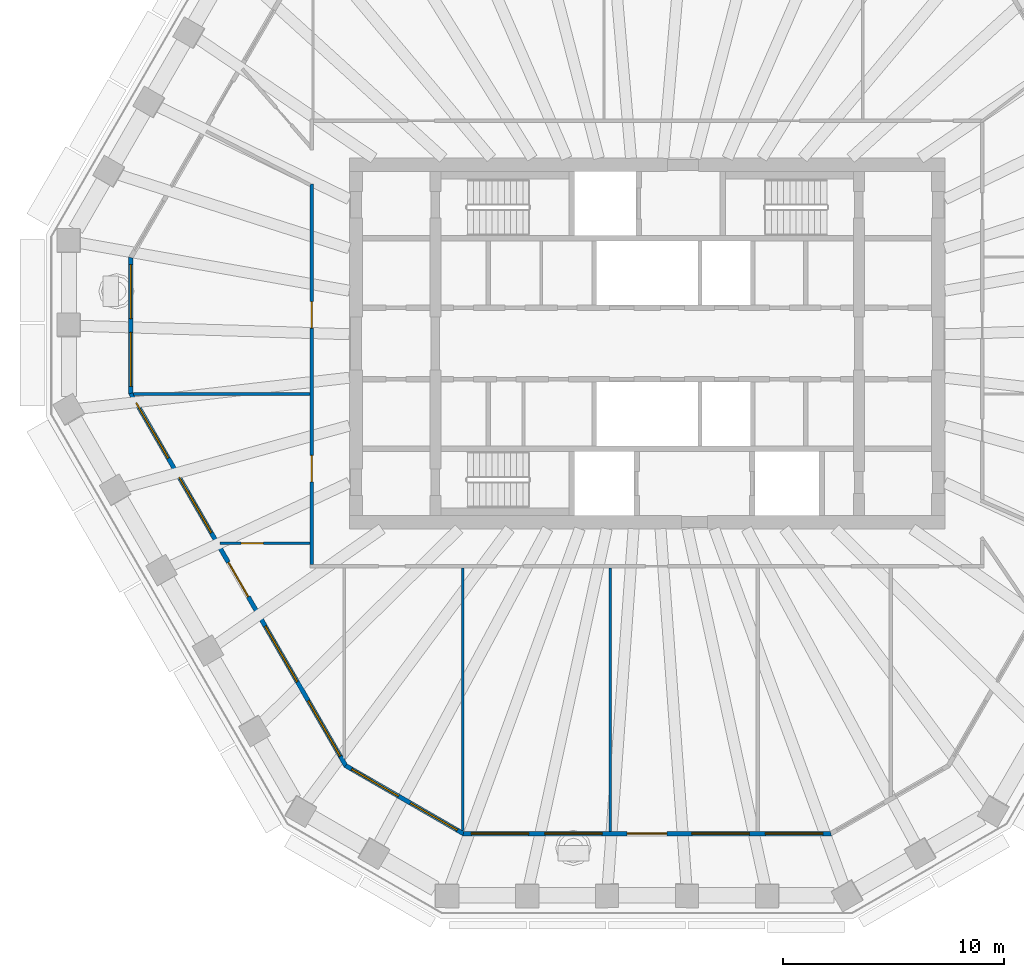
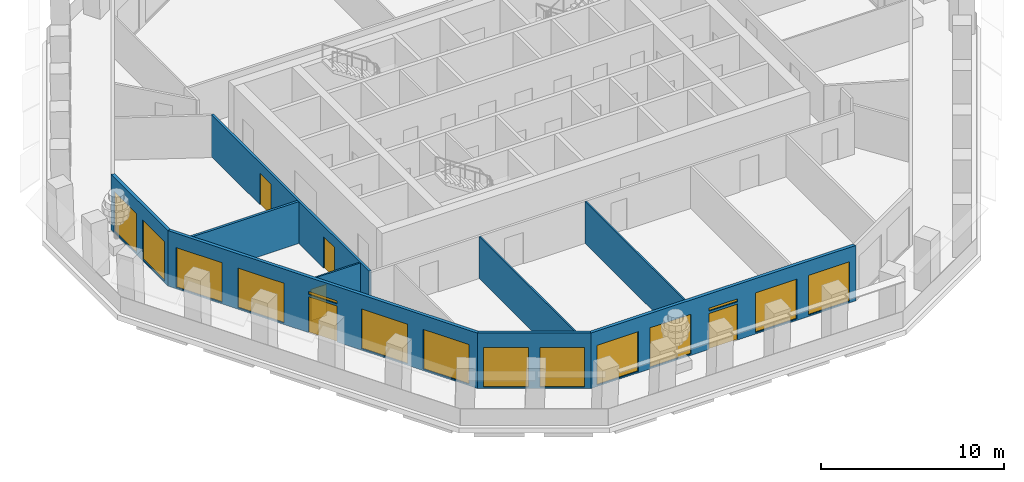
# One storey, part 3 of 12: 14 windows, 9 walls, 5 doors, 19 openings.
"""IFC4 building model written with IfcOpenShell, lengths in metres."""

from ifc_helpers import new_model, si_unit, direction, frame, frame_2d, origin, place, context, subcontext, project, spatial, polyline, rectangle, outline, extrude, material, layer, layer_set, type_object, element, fill, save


model = new_model("IFC4")

# Units and contexts
model_context = context("Model", 3, precision=1e-05, world=origin(), true_north=direction((0.0, 1.0)))
body_context = subcontext(model_context, "Body", "Model", "MODEL_VIEW")
ifc_project = project(units=[si_unit("LENGTHUNIT", "METRE"), si_unit("AREAUNIT", "SQUARE_METRE"), si_unit("VOLUMEUNIT", "CUBIC_METRE"), si_unit("PLANEANGLEUNIT", "RADIAN"), si_unit("MASSUNIT", "GRAM", prefix="KILO")], contexts=[model_context])

# Site, building, storey
site_placement = place(None, origin())
site = spatial("IfcSite", under=ifc_project, at=site_placement, CompositionType="ELEMENT")
building_placement = place(site_placement, origin())
building = spatial("IfcBuilding", under=site, at=building_placement, Name="Frailejon Research Tower", CompositionType="ELEMENT")
storey_placement = place(building_placement, frame((0.0, 0.0, 237.39990234375)))
storey = spatial("IfcBuildingStorey", under=building, at=storey_placement, Name="L51", CompositionType="ELEMENT", Elevation=237.39990234375)

# Wall, openings, doors
ifc_material_1 = material(Name="Gypsum board and masonry partition", Category="masonry")
ifc_layer_1 = layer(ifc_material_1, 0.14990234375)
ifc_layer_set_1 = layer_set([ifc_layer_1], Name="Corridor wall EI 60, gypsum on steel studs 150")
wall_type_1 = type_object("IfcWallType", Name="Corridor wall EI 60, gypsum on steel studs 150", PredefinedType="PARTITIONING", material=ifc_layer_set_1)
wall_1_placement = place(storey_placement, frame((-15.199951171875, -10.02490234375, 0.0), z_axis=(0.0, 0.0, 1.0), x_axis=(0.0, 1.0, 0.0)))
wall_1 = element("IfcWall", 1, at=wall_1_placement, inside=storey, type_object=wall_type_1, Name="T:IW:L51:006", PredefinedType="PARTITIONING", context=body_context, shape_type="SweptSolid", body=[
    extrude(rectangle(XDim=17.25, YDim=0.14990234375, at=frame_2d((8.625, 0.0))), origin(), (0.0, 0.0, 1.0), 2.800048828125),
])
opening_1_placement = place(wall_1_placement, frame((10.7265625, 0.0, 0.0)))
opening_1 = element("IfcOpeningElement", 2, at=opening_1_placement, cuts=wall_1, Name="Opening D2012", PredefinedType="OPENING", context=body_context, shape_type="SweptSolid", body=[
    extrude(rectangle(XDim=1.199951171875, YDim=2.10009765625, at=frame_2d((0.60009765625, 1.050048828125))), frame((0.0, 0.0849609375, 0.0), z_axis=(0.0, -1.0, 0.0), x_axis=(1.0, 0.0, 0.0)), (0.0, 0.0, 1.0), 0.169921875),
])
opening_2_placement = place(wall_1_placement, frame((3.75341796875, 0.0, 0.0)))
opening_2 = element("IfcOpeningElement", 3, at=opening_2_placement, cuts=wall_1, Name="Opening D2013", PredefinedType="OPENING", context=body_context, shape_type="SweptSolid", body=[
    extrude(rectangle(XDim=1.199951171875, YDim=2.10009765625, at=frame_2d((0.60009765625, 1.050048828125))), frame((0.0, 0.0849609375, 0.0), z_axis=(0.0, -1.0, 0.0), x_axis=(1.0, 0.0, 0.0)), (0.0, 0.0, 1.0), 0.169921875),
])
ifc_material_2 = material(Name="Timber door leaf", Category="wood")
door_type_1 = type_object("IfcDoorType", Name="Door laboratory, timber, vision panel 1200", OperationType="NOTDEFINED", PredefinedType="DOOR", material=ifc_material_2)
door_1_placement = place(opening_1_placement, origin())
door_1 = element("IfcDoor", 4, at=door_1_placement, inside=storey, type_object=door_type_1, Name="D2012", OperationType="DOUBLE_DOOR_SINGLE_SWING", OverallHeight=2.10009765625, OverallWidth=1.199951171875, PredefinedType="DOOR", context=body_context, shape_type="SweptSolid", body=[
    extrude(rectangle(XDim=1.199951171875, YDim=2.10009765625, at=frame_2d((0.60009765625, 1.050048828125))), frame((0.0, 0.02490234375, 0.0), z_axis=(0.0, -1.0, 0.0), x_axis=(1.0, 0.0, 0.0)), (0.0, 0.0, 1.0), 0.050048828125),
])
fill(opening_1, door_1)
ifc_material_3 = material(Name="Timber door leaf", Category="wood")
door_type_2 = type_object("IfcDoorType", Name="Door single leaf, timber, steel frame 1200", OperationType="NOTDEFINED", PredefinedType="DOOR", material=ifc_material_3)
door_2_placement = place(opening_2_placement, origin())
door_2 = element("IfcDoor", 5, at=door_2_placement, inside=storey, type_object=door_type_2, Name="D2013", OperationType="DOUBLE_DOOR_SINGLE_SWING", OverallHeight=2.10009765625, OverallWidth=1.199951171875, PredefinedType="DOOR", context=body_context, shape_type="SweptSolid", body=[
    extrude(rectangle(XDim=1.199951171875, YDim=2.10009765625, at=frame_2d((0.60009765625, 1.050048828125))), frame((0.0, 0.02490234375, 0.0), z_axis=(0.0, -1.0, 0.0), x_axis=(1.0, 0.0, 0.0)), (0.0, 0.0, 1.0), 0.050048828125),
])
fill(opening_2, door_2)

# Wall
ifc_material_4 = material(Name="Gypsum board and masonry partition", Category="masonry")
ifc_layer_2 = layer(ifc_material_4, 0.14990234375)
ifc_layer_set_2 = layer_set([ifc_layer_2], Name="Laboratory partition, blockwork 150")
wall_type_2 = type_object("IfcWallType", Name="Laboratory partition, blockwork 150", PredefinedType="PARTITIONING", material=ifc_layer_set_2)
wall_2_placement = place(storey_placement, frame((-23.275146484375, -2.2861328125, 0.0), z_axis=(0.0, 0.0, 1.0), x_axis=(1.0, 0.0, 0.0)))
element("IfcWall", 6, at=wall_2_placement, inside=storey, type_object=wall_type_2, Name="T:IW:L51:011", PredefinedType="PARTITIONING", context=body_context, shape_type="SweptSolid", body=[
    extrude(rectangle(XDim=8.000244140625, YDim=0.14990234375, at=frame_2d((4.0, 0.0))), origin(), (0.0, 0.0, 1.0), 2.800048828125),
])

# Wall, opening, door
ifc_material_5 = material(Name="Gypsum board and masonry partition", Category="masonry")
ifc_layer_3 = layer(ifc_material_5, 0.10009765625)
ifc_layer_set_3 = layer_set([ifc_layer_3], Name="Partition, gypsum on steel studs 100")
wall_type_3 = type_object("IfcWallType", Name="Partition, gypsum on steel studs 100", PredefinedType="PARTITIONING", material=ifc_layer_set_3)
wall_3_placement = place(storey_placement, frame((-19.365966796875, -9.05712890625, 0.0), z_axis=(0.0, 0.0, 1.0), x_axis=(1.0, 0.0, 0.0)))
wall_3 = element("IfcWall", 7, at=wall_3_placement, inside=storey, type_object=wall_type_3, Name="T:IW:L51:020", PredefinedType="PARTITIONING", context=body_context, shape_type="SweptSolid", body=[
    extrude(rectangle(XDim=4.091064453125, YDim=0.10009765625, at=frame_2d((2.04541015625, 0.0))), origin(), (0.0, 0.0, 1.0), 2.800048828125),
])
opening_3_placement = place(wall_3_placement, frame((0.966552734375, 0.0, 0.0)))
opening_3 = element("IfcOpeningElement", 8, at=opening_3_placement, cuts=wall_3, Name="Opening D2014", PredefinedType="OPENING", context=body_context, shape_type="SweptSolid", body=[
    extrude(rectangle(XDim=1.0, YDim=2.10009765625, at=frame_2d((0.5, 1.050048828125))), frame((0.0, 0.06005859375, 0.0), z_axis=(0.0, -1.0, 0.0), x_axis=(1.0, 0.0, 0.0)), (0.0, 0.0, 1.0), 0.1201171875),
])
ifc_material_6 = material(Name="Timber door leaf", Category="wood")
door_type_3 = type_object("IfcDoorType", Name="Door single leaf, timber, steel frame 1000", OperationType="NOTDEFINED", PredefinedType="DOOR", material=ifc_material_6)
door_3_placement = place(opening_3_placement, origin())
door_3 = element("IfcDoor", 9, at=door_3_placement, inside=storey, type_object=door_type_3, Name="D2014", OperationType="SINGLE_SWING_LEFT", OverallHeight=2.10009765625, OverallWidth=1.0, PredefinedType="DOOR", context=body_context, shape_type="SweptSolid", body=[
    extrude(rectangle(XDim=1.0, YDim=2.10009765625, at=frame_2d((0.5, 1.050048828125))), frame((0.0, 0.02490234375, 0.0), z_axis=(0.0, -1.0, 0.0), x_axis=(1.0, 0.0, 0.0)), (0.0, 0.0, 1.0), 0.050048828125),
])
fill(opening_3, door_3)

# Walls
wall_4_placement = place(storey_placement, frame((-8.35791015625, -22.086181640625, 0.0), z_axis=(0.0, 0.0, 1.0), x_axis=(0.0, 1.0, 0.0)))
element("IfcWall", 10, at=wall_4_placement, inside=storey, type_object=wall_type_3, Name="T:IW:L51:022", PredefinedType="PARTITIONING", context=body_context, shape_type="SweptSolid", body=[
    extrude(rectangle(XDim=11.9111328125, YDim=0.10009765625, at=frame_2d((5.95556640625, 0.0))), origin(), (0.0, 0.0, 1.0), 2.800048828125),
])
wall_5_placement = place(storey_placement, frame((-1.671630859375, -22.1171875, 0.0), z_axis=(0.0, 0.0, 1.0), x_axis=(0.0, 1.0, 0.0)))
element("IfcWall", 11, at=wall_5_placement, inside=storey, type_object=wall_type_3, Name="T:IW:L51:023", PredefinedType="PARTITIONING", context=body_context, shape_type="SweptSolid", body=[
    extrude(rectangle(XDim=11.942138671875, YDim=0.10009765625, at=frame_2d((5.97119140625, 0.0))), origin(), (0.0, 0.0, 1.0), 2.800048828125),
])

# Wall, openings, windows
ifc_material_7 = material(Name="Concrete C40/50 precast window wall panel", Category="concrete")
ifc_layer_4 = layer(ifc_material_7, 0.199951171875)
ifc_layer_set_4 = layer_set([ifc_layer_4], Name="Window wall 200")
wall_type_4 = type_object("IfcWallType", Name="Window wall 200", PredefinedType="SOLIDWALL", material=ifc_layer_set_4)
wall_6_placement = place(storey_placement, frame((-23.406005859375, 3.8935546875, 0.0), z_axis=(0.0, 0.0, 1.0), x_axis=(0.0, -1.0, 0.0)))
wall_6 = element("IfcWall", 12, at=wall_6_placement, inside=storey, type_object=wall_type_4, Name="Exterior wall L51", PredefinedType="SOLIDWALL", context=body_context, shape_type="SweptSolid", body=[
    extrude(outline(polyline([(-0.02685546875, -0.10009765625), (1.007568359375, -0.10009765625), (2.0419921875, -0.10009765625), (3.07666015625, -0.10009765625), (4.111083984375, -0.10009765625), (5.1455078125, -0.10009765625), (6.179931640625, -0.10009765625), (6.126220703125, 0.10009765625), (5.109619140625, 0.10009765625), (4.093017578125, 0.10009765625), (3.07666015625, 0.10009765625), (2.06005859375, 0.10009765625), (1.04345703125, 0.10009765625), (0.02685546875, 0.10009765625), (-0.02685546875, -0.10009765625)])), origin(), (0.0, 0.0, 1.0), 3.7001953125),
])
opening_4_placement = place(wall_6_placement, frame((0.313232421875, 0.0, 0.10009765625)))
opening_4 = element("IfcOpeningElement", 13, at=opening_4_placement, cuts=wall_6, Name="Opening W17", PredefinedType="OPENING", context=body_context, shape_type="SweptSolid", body=[
    extrude(rectangle(XDim=2.449951171875, YDim=2.64990234375, at=frame_2d((1.22509765625, 1.324951171875))), frame((0.0, 0.10986328125, 0.0), z_axis=(0.0, -1.0, 0.0), x_axis=(1.0, 0.0, 0.0)), (0.0, 0.0, 1.0), 0.219970703125),
])
opening_5_placement = place(wall_6_placement, frame((3.3896484375, 0.0, 0.10009765625)))
opening_5 = element("IfcOpeningElement", 14, at=opening_5_placement, cuts=wall_6, Name="Opening W17", PredefinedType="OPENING", context=body_context, shape_type="SweptSolid", body=[
    extrude(rectangle(XDim=2.449951171875, YDim=2.64990234375, at=frame_2d((1.22509765625, 1.324951171875))), frame((0.0, 0.10986328125, 0.0), z_axis=(0.0, -1.0, 0.0), x_axis=(1.0, 0.0, 0.0)), (0.0, 0.0, 1.0), 0.219970703125),
])
ifc_material_8 = material(Name="Aluminium framed double glazing", Category="aluminium")
window_type_1 = type_object("IfcWindowType", Name="Window 2450x2650", PartitioningType="SINGLE_PANEL", PredefinedType="WINDOW", material=ifc_material_8)
window_1_placement = place(opening_4_placement, origin())
window_1 = element("IfcWindow", 15, at=window_1_placement, inside=storey, type_object=window_type_1, Name="Window L51", OverallHeight=2.64990234375, OverallWidth=2.449951171875, PartitioningType="SINGLE_PANEL", PredefinedType="WINDOW", context=body_context, shape_type="SweptSolid", body=[
    extrude(rectangle(XDim=2.449951171875, YDim=2.64990234375, at=frame_2d((1.22509765625, 1.324951171875))), frame((0.0, 0.030029296875, 0.0), z_axis=(0.0, -1.0, 0.0), x_axis=(1.0, 0.0, 0.0)), (0.0, 0.0, 1.0), 0.06005859375),
])
fill(opening_4, window_1)
window_2_placement = place(opening_5_placement, origin())
window_2 = element("IfcWindow", 16, at=window_2_placement, inside=storey, type_object=window_type_1, Name="Window L51", OverallHeight=2.64990234375, OverallWidth=2.449951171875, PartitioningType="SINGLE_PANEL", PredefinedType="WINDOW", context=body_context, shape_type="SweptSolid", body=[
    extrude(rectangle(XDim=2.449951171875, YDim=2.64990234375, at=frame_2d((1.22509765625, 1.324951171875))), frame((0.0, 0.030029296875, 0.0), z_axis=(0.0, -1.0, 0.0), x_axis=(1.0, 0.0, 0.0)), (0.0, 0.0, 1.0), 0.06005859375),
])
fill(opening_5, window_2)

# Wall, openings, door, windows
wall_7_placement = place(storey_placement, frame((-23.406005859375, -2.259521484375, 0.0), z_axis=(0.0, 0.0, 1.0), x_axis=(0.500001086243, -0.866024776641, 0.0)))
wall_7 = element("IfcWall", 17, at=wall_7_placement, inside=storey, type_object=wall_type_4, Name="Exterior wall L51", PredefinedType="SOLIDWALL", context=body_context, shape_type="SweptSolid", body=[
    extrude(outline(polyline([(-0.02685546875, -0.10009765625), (1.001953125, -0.10009765625), (2.03076171875, -0.10009765625), (3.059326171875, -0.10009765625), (4.088134765625, -0.10009765625), (5.116943359375, -0.10009765625), (6.145751953125, -0.10009765625), (7.174560546875, -0.10009765625), (8.203125, -0.10009765625), (9.23193359375, -0.10009765625), (10.2607421875, -0.10009765625), (11.28955078125, -0.10009765625), (12.318115234375, -0.10009765625), (13.346923828125, -0.10009765625), (14.375732421875, -0.10009765625), (15.404541015625, -0.10009765625), (16.433349609375, -0.10009765625), (17.4619140625, -0.10009765625), (18.49072265625, -0.10009765625), (19.51953125, -0.10009765625), (19.4658203125, 0.10009765625), (18.442626953125, 0.10009765625), (17.419677734375, 0.10009765625), (16.396484375, 0.10009765625), (15.373291015625, 0.10009765625), (14.350341796875, 0.10009765625), (13.3271484375, 0.10009765625), (12.30419921875, 0.10009765625), (11.281005859375, 0.10009765625), (10.2578125, 0.10009765625), (9.23486328125, 0.10009765625), (8.211669921875, 0.10009765625), (7.1884765625, 0.10009765625), (6.16552734375, 0.10009765625), (5.142333984375, 0.10009765625), (4.119384765625, 0.10009765625), (3.09619140625, 0.10009765625), (2.072998046875, 0.10009765625), (1.050048828125, 0.10009765625), (0.02685546875, 0.10009765625), (-0.02685546875, -0.10009765625)])), origin(), (0.0, 0.0, 1.0), 3.7001953125),
])
opening_6_placement = place(wall_7_placement, frame((0.499267578125, 0.0, 0.10009765625)))
opening_6 = element("IfcOpeningElement", 18, at=opening_6_placement, cuts=wall_7, Name="Opening W20", PredefinedType="OPENING", context=body_context, shape_type="SweptSolid", body=[
    extrude(rectangle(XDim=2.89990234375, YDim=2.64990234375, at=frame_2d((1.449951171875, 1.324951171875))), frame((0.0, 0.10986328125, 0.0), z_axis=(0.0, -1.0, 0.0), x_axis=(1.0, 0.0, 0.0)), (0.0, 0.0, 1.0), 0.219970703125),
])
opening_7_placement = place(wall_7_placement, frame((4.397705078125, 0.0, 0.10009765625)))
opening_7 = element("IfcOpeningElement", 19, at=opening_7_placement, cuts=wall_7, Name="Opening W20", PredefinedType="OPENING", context=body_context, shape_type="SweptSolid", body=[
    extrude(rectangle(XDim=2.89990234375, YDim=2.64990234375, at=frame_2d((1.449951171875, 1.324951171875))), frame((0.0, 0.10986328125, 0.0), z_axis=(0.0, -1.0, 0.0), x_axis=(1.0, 0.0, 0.0)), (0.0, 0.0, 1.0), 0.219970703125),
])
opening_8_placement = place(wall_7_placement, frame((8.846435546875, 0.0, 0.0)))
opening_8 = element("IfcOpeningElement", 20, at=opening_8_placement, cuts=wall_7, Name="Opening LG51-4", PredefinedType="OPENING", context=body_context, shape_type="SweptSolid", body=[
    extrude(rectangle(XDim=1.800048828125, YDim=2.39990234375, at=frame_2d((0.89990234375, 1.199951171875))), frame((0.0, 0.10986328125, 0.0), z_axis=(0.0, -1.0, 0.0), x_axis=(1.0, 0.0, 0.0)), (0.0, 0.0, 1.0), 0.219970703125),
])
opening_9_placement = place(wall_7_placement, frame((8.846435546875, 0.0, 2.550048828125)))
opening_9 = element("IfcOpeningElement", 21, at=opening_9_placement, cuts=wall_7, Name="Opening W19", PredefinedType="OPENING", context=body_context, shape_type="SweptSolid", body=[
    extrude(rectangle(XDim=1.800048828125, YDim=0.199951171875, at=frame_2d((0.89990234375, 0.10009765625))), frame((0.0, 0.10986328125, 0.0), z_axis=(0.0, -1.0, 0.0), x_axis=(1.0, 0.0, 0.0)), (0.0, 0.0, 1.0), 0.219970703125),
])
opening_10_placement = place(wall_7_placement, frame((12.19482421875, 0.0, 0.10009765625)))
opening_10 = element("IfcOpeningElement", 22, at=opening_10_placement, cuts=wall_7, Name="Opening W20", PredefinedType="OPENING", context=body_context, shape_type="SweptSolid", body=[
    extrude(rectangle(XDim=2.89990234375, YDim=2.64990234375, at=frame_2d((1.449951171875, 1.324951171875))), frame((0.0, 0.10986328125, 0.0), z_axis=(0.0, -1.0, 0.0), x_axis=(1.0, 0.0, 0.0)), (0.0, 0.0, 1.0), 0.219970703125),
])
opening_11_placement = place(wall_7_placement, frame((16.093505859375, 0.0, 0.10009765625)))
opening_11 = element("IfcOpeningElement", 23, at=opening_11_placement, cuts=wall_7, Name="Opening W20", PredefinedType="OPENING", context=body_context, shape_type="SweptSolid", body=[
    extrude(rectangle(XDim=2.89990234375, YDim=2.64990234375, at=frame_2d((1.449951171875, 1.324951171875))), frame((0.0, 0.10986328125, 0.0), z_axis=(0.0, -1.0, 0.0), x_axis=(1.0, 0.0, 0.0)), (0.0, 0.0, 1.0), 0.219970703125),
])
ifc_material_9 = material(Name="Aluminium framed glazed door leaf", Category="aluminium")
door_type_4 = type_object("IfcDoorType", Name="Loggia door 1800x2400", OperationType="DOUBLE_DOOR_SINGLE_SWING", PredefinedType="DOOR", material=ifc_material_9)
door_4_placement = place(opening_8_placement, origin())
door_4 = element("IfcDoor", 24, at=door_4_placement, inside=storey, type_object=door_type_4, Name="Door LG51-4", OperationType="DOUBLE_DOOR_SINGLE_SWING", OverallHeight=2.39990234375, OverallWidth=1.800048828125, PredefinedType="DOOR", context=body_context, shape_type="SweptSolid", body=[
    extrude(rectangle(XDim=1.800048828125, YDim=2.39990234375, at=frame_2d((0.89990234375, 1.199951171875))), frame((0.0, 0.02490234375, 0.0), z_axis=(0.0, -1.0, 0.0), x_axis=(1.0, 0.0, 0.0)), (0.0, 0.0, 1.0), 0.050048828125),
])
fill(opening_8, door_4)
ifc_material_10 = material(Name="Aluminium framed double glazing", Category="aluminium")
window_type_2 = type_object("IfcWindowType", Name="Window 1800x200", PartitioningType="SINGLE_PANEL", PredefinedType="WINDOW", material=ifc_material_10)
window_3_placement = place(opening_9_placement, origin())
window_3 = element("IfcWindow", 25, at=window_3_placement, inside=storey, type_object=window_type_2, Name="Window L51", OverallHeight=0.199951171875, OverallWidth=1.800048828125, PartitioningType="SINGLE_PANEL", PredefinedType="WINDOW", context=body_context, shape_type="SweptSolid", body=[
    extrude(rectangle(XDim=1.800048828125, YDim=0.199951171875, at=frame_2d((0.89990234375, 0.10009765625))), frame((0.0, 0.030029296875, 0.0), z_axis=(0.0, -1.0, 0.0), x_axis=(1.0, 0.0, 0.0)), (0.0, 0.0, 1.0), 0.06005859375),
])
fill(opening_9, window_3)
ifc_material_11 = material(Name="Aluminium framed double glazing", Category="aluminium")
window_type_3 = type_object("IfcWindowType", Name="Window 2900x2650", PartitioningType="SINGLE_PANEL", PredefinedType="WINDOW", material=ifc_material_11)
window_4_placement = place(opening_6_placement, origin())
window_4 = element("IfcWindow", 26, at=window_4_placement, inside=storey, type_object=window_type_3, Name="Window L51", OverallHeight=2.64990234375, OverallWidth=2.89990234375, PartitioningType="SINGLE_PANEL", PredefinedType="WINDOW", context=body_context, shape_type="SweptSolid", body=[
    extrude(rectangle(XDim=2.89990234375, YDim=2.64990234375, at=frame_2d((1.449951171875, 1.324951171875))), frame((0.0, 0.030029296875, 0.0), z_axis=(0.0, -1.0, 0.0), x_axis=(1.0, 0.0, 0.0)), (0.0, 0.0, 1.0), 0.06005859375),
])
fill(opening_6, window_4)
window_5_placement = place(opening_7_placement, origin())
window_5 = element("IfcWindow", 27, at=window_5_placement, inside=storey, type_object=window_type_3, Name="Window L51", OverallHeight=2.64990234375, OverallWidth=2.89990234375, PartitioningType="SINGLE_PANEL", PredefinedType="WINDOW", context=body_context, shape_type="SweptSolid", body=[
    extrude(rectangle(XDim=2.89990234375, YDim=2.64990234375, at=frame_2d((1.449951171875, 1.324951171875))), frame((0.0, 0.030029296875, 0.0), z_axis=(0.0, -1.0, 0.0), x_axis=(1.0, 0.0, 0.0)), (0.0, 0.0, 1.0), 0.06005859375),
])
fill(opening_7, window_5)
window_6_placement = place(opening_10_placement, origin())
window_6 = element("IfcWindow", 28, at=window_6_placement, inside=storey, type_object=window_type_3, Name="Window L51", OverallHeight=2.64990234375, OverallWidth=2.89990234375, PartitioningType="SINGLE_PANEL", PredefinedType="WINDOW", context=body_context, shape_type="SweptSolid", body=[
    extrude(rectangle(XDim=2.89990234375, YDim=2.64990234375, at=frame_2d((1.449951171875, 1.324951171875))), frame((0.0, 0.030029296875, 0.0), z_axis=(0.0, -1.0, 0.0), x_axis=(1.0, 0.0, 0.0)), (0.0, 0.0, 1.0), 0.06005859375),
])
fill(opening_10, window_6)
window_7_placement = place(opening_11_placement, origin())
window_7 = element("IfcWindow", 29, at=window_7_placement, inside=storey, type_object=window_type_3, Name="Window L51", OverallHeight=2.64990234375, OverallWidth=2.89990234375, PartitioningType="SINGLE_PANEL", PredefinedType="WINDOW", context=body_context, shape_type="SweptSolid", body=[
    extrude(rectangle(XDim=2.89990234375, YDim=2.64990234375, at=frame_2d((1.449951171875, 1.324951171875))), frame((0.0, 0.030029296875, 0.0), z_axis=(0.0, -1.0, 0.0), x_axis=(1.0, 0.0, 0.0)), (0.0, 0.0, 1.0), 0.06005859375),
])
fill(opening_11, window_7)

# Wall, openings, windows
wall_8_placement = place(storey_placement, frame((-13.65966796875, -19.140625, 0.0), z_axis=(0.0, 0.0, 1.0), x_axis=(0.866019727221, -0.500009831968, 0.0)))
wall_8 = element("IfcWall", 30, at=wall_8_placement, inside=storey, type_object=wall_type_4, Name="Exterior wall L51", PredefinedType="SOLIDWALL", context=body_context, shape_type="SweptSolid", body=[
    extrude(outline(polyline([(-0.02685546875, -0.10009765625), (1.007568359375, -0.10009765625), (2.0419921875, -0.10009765625), (3.076416015625, -0.10009765625), (4.11083984375, -0.10009765625), (5.145263671875, -0.10009765625), (6.1796875, -0.10009765625), (6.1259765625, 0.10009765625), (5.109375, 0.10009765625), (4.093017578125, 0.10009765625), (3.076416015625, 0.10009765625), (2.059814453125, 0.10009765625), (1.04345703125, 0.10009765625), (0.02685546875, 0.10009765625), (-0.02685546875, -0.10009765625)])), origin(), (0.0, 0.0, 1.0), 3.7001953125),
])
opening_12_placement = place(wall_8_placement, frame((0.313232421875, 0.0, 0.10009765625)))
opening_12 = element("IfcOpeningElement", 31, at=opening_12_placement, cuts=wall_8, Name="Opening W17", PredefinedType="OPENING", context=body_context, shape_type="SweptSolid", body=[
    extrude(rectangle(XDim=2.449951171875, YDim=2.64990234375, at=frame_2d((1.22509765625, 1.324951171875))), frame((0.0, 0.10986328125, 0.0), z_axis=(0.0, -1.0, 0.0), x_axis=(1.0, 0.0, 0.0)), (0.0, 0.0, 1.0), 0.219970703125),
])
opening_13_placement = place(wall_8_placement, frame((3.3896484375, 0.0, 0.10009765625)))
opening_13 = element("IfcOpeningElement", 32, at=opening_13_placement, cuts=wall_8, Name="Opening W17", PredefinedType="OPENING", context=body_context, shape_type="SweptSolid", body=[
    extrude(rectangle(XDim=2.449951171875, YDim=2.64990234375, at=frame_2d((1.22509765625, 1.324951171875))), frame((0.0, 0.10986328125, 0.0), z_axis=(0.0, -1.0, 0.0), x_axis=(1.0, 0.0, 0.0)), (0.0, 0.0, 1.0), 0.219970703125),
])
window_8_placement = place(opening_12_placement, origin())
window_8 = element("IfcWindow", 33, at=window_8_placement, inside=storey, type_object=window_type_1, Name="Window L51", OverallHeight=2.64990234375, OverallWidth=2.449951171875, PartitioningType="SINGLE_PANEL", PredefinedType="WINDOW", context=body_context, shape_type="SweptSolid", body=[
    extrude(rectangle(XDim=2.449951171875, YDim=2.64990234375, at=frame_2d((1.22509765625, 1.324951171875))), frame((0.0, 0.030029296875, 0.0), z_axis=(0.0, -1.0, 0.0), x_axis=(1.0, 0.0, 0.0)), (0.0, 0.0, 1.0), 0.06005859375),
])
fill(opening_12, window_8)
window_9_placement = place(opening_13_placement, origin())
window_9 = element("IfcWindow", 34, at=window_9_placement, inside=storey, type_object=window_type_1, Name="Window L51", OverallHeight=2.64990234375, OverallWidth=2.449951171875, PartitioningType="SINGLE_PANEL", PredefinedType="WINDOW", context=body_context, shape_type="SweptSolid", body=[
    extrude(rectangle(XDim=2.449951171875, YDim=2.64990234375, at=frame_2d((1.22509765625, 1.324951171875))), frame((0.0, 0.030029296875, 0.0), z_axis=(0.0, -1.0, 0.0), x_axis=(1.0, 0.0, 0.0)), (0.0, 0.0, 1.0), 0.06005859375),
])
fill(opening_13, window_9)

# Wall, openings, door, windows
wall_9_placement = place(storey_placement, frame((-8.331298828125, -22.217041015625, 0.0), z_axis=(0.0, 0.0, 1.0), x_axis=(1.0, 0.0, 0.0)))
wall_9 = element("IfcWall", 35, at=wall_9_placement, inside=storey, type_object=wall_type_4, Name="Exterior wall L51", PredefinedType="SOLIDWALL", context=body_context, shape_type="SweptSolid", body=[
    extrude(outline(polyline([(-0.02685546875, -0.10009765625), (1.017822265625, -0.10009765625), (2.062744140625, -0.10009765625), (3.107421875, -0.10009765625), (4.15234375, -0.10009765625), (5.197021484375, -0.10009765625), (6.24169921875, -0.10009765625), (7.28662109375, -0.10009765625), (8.331298828125, -0.10009765625), (9.3759765625, -0.10009765625), (10.4208984375, -0.10009765625), (11.465576171875, -0.10009765625), (12.51025390625, -0.10009765625), (13.55517578125, -0.10009765625), (14.599853515625, -0.10009765625), (15.644775390625, -0.10009765625), (16.689453125, -0.10009765625), (16.6357421875, 0.10009765625), (15.59765625, 0.10009765625), (14.5595703125, 0.10009765625), (13.521484375, 0.10009765625), (12.4833984375, 0.10009765625), (11.445556640625, 0.10009765625), (10.407470703125, 0.10009765625), (9.369384765625, 0.10009765625), (8.331298828125, 0.10009765625), (7.293212890625, 0.10009765625), (6.255126953125, 0.10009765625), (5.217041015625, 0.10009765625), (4.17919921875, 0.10009765625), (3.14111328125, 0.10009765625), (2.10302734375, 0.10009765625), (1.06494140625, 0.10009765625), (0.02685546875, 0.10009765625), (-0.02685546875, -0.10009765625)])), origin(), (0.0, 0.0, 1.0), 3.7001953125),
])
opening_14_placement = place(wall_9_placement, frame((0.3662109375, 0.0, 0.10009765625)))
opening_14 = element("IfcOpeningElement", 36, at=opening_14_placement, cuts=wall_9, Name="Opening W18", PredefinedType="OPENING", context=body_context, shape_type="SweptSolid", body=[
    extrude(rectangle(XDim=2.60009765625, YDim=2.64990234375, at=frame_2d((1.300048828125, 1.324951171875))), frame((0.0, 0.10986328125, 0.0), z_axis=(0.0, -1.0, 0.0), x_axis=(1.0, 0.0, 0.0)), (0.0, 0.0, 1.0), 0.219970703125),
])
opening_15_placement = place(wall_9_placement, frame((3.69873046875, 0.0, 0.10009765625)))
opening_15 = element("IfcOpeningElement", 37, at=opening_15_placement, cuts=wall_9, Name="Opening W18", PredefinedType="OPENING", context=body_context, shape_type="SweptSolid", body=[
    extrude(rectangle(XDim=2.60009765625, YDim=2.64990234375, at=frame_2d((1.300048828125, 1.324951171875))), frame((0.0, 0.10986328125, 0.0), z_axis=(0.0, -1.0, 0.0), x_axis=(1.0, 0.0, 0.0)), (0.0, 0.0, 1.0), 0.219970703125),
])
opening_16_placement = place(wall_9_placement, frame((7.43115234375, 0.0, 0.0)))
opening_16 = element("IfcOpeningElement", 38, at=opening_16_placement, cuts=wall_9, Name="Opening LG51-5", PredefinedType="OPENING", context=body_context, shape_type="SweptSolid", body=[
    extrude(rectangle(XDim=1.800048828125, YDim=2.39990234375, at=frame_2d((0.89990234375, 1.199951171875))), frame((0.0, 0.10986328125, 0.0), z_axis=(0.0, -1.0, 0.0), x_axis=(1.0, 0.0, 0.0)), (0.0, 0.0, 1.0), 0.219970703125),
])
opening_17_placement = place(wall_9_placement, frame((7.43115234375, 0.0, 2.550048828125)))
opening_17 = element("IfcOpeningElement", 39, at=opening_17_placement, cuts=wall_9, Name="Opening W19", PredefinedType="OPENING", context=body_context, shape_type="SweptSolid", body=[
    extrude(rectangle(XDim=1.800048828125, YDim=0.199951171875, at=frame_2d((0.89990234375, 0.10009765625))), frame((0.0, 0.10986328125, 0.0), z_axis=(0.0, -1.0, 0.0), x_axis=(1.0, 0.0, 0.0)), (0.0, 0.0, 1.0), 0.219970703125),
])
opening_18_placement = place(wall_9_placement, frame((10.363525390625, 0.0, 0.10009765625)))
opening_18 = element("IfcOpeningElement", 40, at=opening_18_placement, cuts=wall_9, Name="Opening W18", PredefinedType="OPENING", context=body_context, shape_type="SweptSolid", body=[
    extrude(rectangle(XDim=2.60009765625, YDim=2.64990234375, at=frame_2d((1.300048828125, 1.324951171875))), frame((0.0, 0.10986328125, 0.0), z_axis=(0.0, -1.0, 0.0), x_axis=(1.0, 0.0, 0.0)), (0.0, 0.0, 1.0), 0.219970703125),
])
opening_19_placement = place(wall_9_placement, frame((13.696044921875, 0.0, 0.10009765625)))
opening_19 = element("IfcOpeningElement", 41, at=opening_19_placement, cuts=wall_9, Name="Opening W18", PredefinedType="OPENING", context=body_context, shape_type="SweptSolid", body=[
    extrude(rectangle(XDim=2.60009765625, YDim=2.64990234375, at=frame_2d((1.300048828125, 1.324951171875))), frame((0.0, 0.10986328125, 0.0), z_axis=(0.0, -1.0, 0.0), x_axis=(1.0, 0.0, 0.0)), (0.0, 0.0, 1.0), 0.219970703125),
])
door_5_placement = place(opening_16_placement, origin())
door_5 = element("IfcDoor", 42, at=door_5_placement, inside=storey, type_object=door_type_4, Name="Door LG51-5", OperationType="DOUBLE_DOOR_SINGLE_SWING", OverallHeight=2.39990234375, OverallWidth=1.800048828125, PredefinedType="DOOR", context=body_context, shape_type="SweptSolid", body=[
    extrude(rectangle(XDim=1.800048828125, YDim=2.39990234375, at=frame_2d((0.89990234375, 1.199951171875))), frame((0.0, 0.02490234375, 0.0), z_axis=(0.0, -1.0, 0.0), x_axis=(1.0, 0.0, 0.0)), (0.0, 0.0, 1.0), 0.050048828125),
])
fill(opening_16, door_5)
window_10_placement = place(opening_17_placement, origin())
window_10 = element("IfcWindow", 43, at=window_10_placement, inside=storey, type_object=window_type_2, Name="Window L51", OverallHeight=0.199951171875, OverallWidth=1.800048828125, PartitioningType="SINGLE_PANEL", PredefinedType="WINDOW", context=body_context, shape_type="SweptSolid", body=[
    extrude(rectangle(XDim=1.800048828125, YDim=0.199951171875, at=frame_2d((0.89990234375, 0.10009765625))), frame((0.0, 0.030029296875, 0.0), z_axis=(0.0, -1.0, 0.0), x_axis=(1.0, 0.0, 0.0)), (0.0, 0.0, 1.0), 0.06005859375),
])
fill(opening_17, window_10)
ifc_material_12 = material(Name="Aluminium framed double glazing", Category="aluminium")
window_type_4 = type_object("IfcWindowType", Name="Window 2600x2650", PartitioningType="SINGLE_PANEL", PredefinedType="WINDOW", material=ifc_material_12)
window_11_placement = place(opening_14_placement, origin())
window_11 = element("IfcWindow", 44, at=window_11_placement, inside=storey, type_object=window_type_4, Name="Window L51", OverallHeight=2.64990234375, OverallWidth=2.60009765625, PartitioningType="SINGLE_PANEL", PredefinedType="WINDOW", context=body_context, shape_type="SweptSolid", body=[
    extrude(rectangle(XDim=2.60009765625, YDim=2.64990234375, at=frame_2d((1.300048828125, 1.324951171875))), frame((0.0, 0.030029296875, 0.0), z_axis=(0.0, -1.0, 0.0), x_axis=(1.0, 0.0, 0.0)), (0.0, 0.0, 1.0), 0.06005859375),
])
fill(opening_14, window_11)
window_12_placement = place(opening_15_placement, origin())
window_12 = element("IfcWindow", 45, at=window_12_placement, inside=storey, type_object=window_type_4, Name="Window L51", OverallHeight=2.64990234375, OverallWidth=2.60009765625, PartitioningType="SINGLE_PANEL", PredefinedType="WINDOW", context=body_context, shape_type="SweptSolid", body=[
    extrude(rectangle(XDim=2.60009765625, YDim=2.64990234375, at=frame_2d((1.300048828125, 1.324951171875))), frame((0.0, 0.030029296875, 0.0), z_axis=(0.0, -1.0, 0.0), x_axis=(1.0, 0.0, 0.0)), (0.0, 0.0, 1.0), 0.06005859375),
])
fill(opening_15, window_12)
window_13_placement = place(opening_18_placement, origin())
window_13 = element("IfcWindow", 46, at=window_13_placement, inside=storey, type_object=window_type_4, Name="Window L51", OverallHeight=2.64990234375, OverallWidth=2.60009765625, PartitioningType="SINGLE_PANEL", PredefinedType="WINDOW", context=body_context, shape_type="SweptSolid", body=[
    extrude(rectangle(XDim=2.60009765625, YDim=2.64990234375, at=frame_2d((1.300048828125, 1.324951171875))), frame((0.0, 0.030029296875, 0.0), z_axis=(0.0, -1.0, 0.0), x_axis=(1.0, 0.0, 0.0)), (0.0, 0.0, 1.0), 0.06005859375),
])
fill(opening_18, window_13)
window_14_placement = place(opening_19_placement, origin())
window_14 = element("IfcWindow", 47, at=window_14_placement, inside=storey, type_object=window_type_4, Name="Window L51", OverallHeight=2.64990234375, OverallWidth=2.60009765625, PartitioningType="SINGLE_PANEL", PredefinedType="WINDOW", context=body_context, shape_type="SweptSolid", body=[
    extrude(rectangle(XDim=2.60009765625, YDim=2.64990234375, at=frame_2d((1.300048828125, 1.324951171875))), frame((0.0, 0.030029296875, 0.0), z_axis=(0.0, -1.0, 0.0), x_axis=(1.0, 0.0, 0.0)), (0.0, 0.0, 1.0), 0.06005859375),
])
fill(opening_19, window_14)

save(model, "model.ifc")
